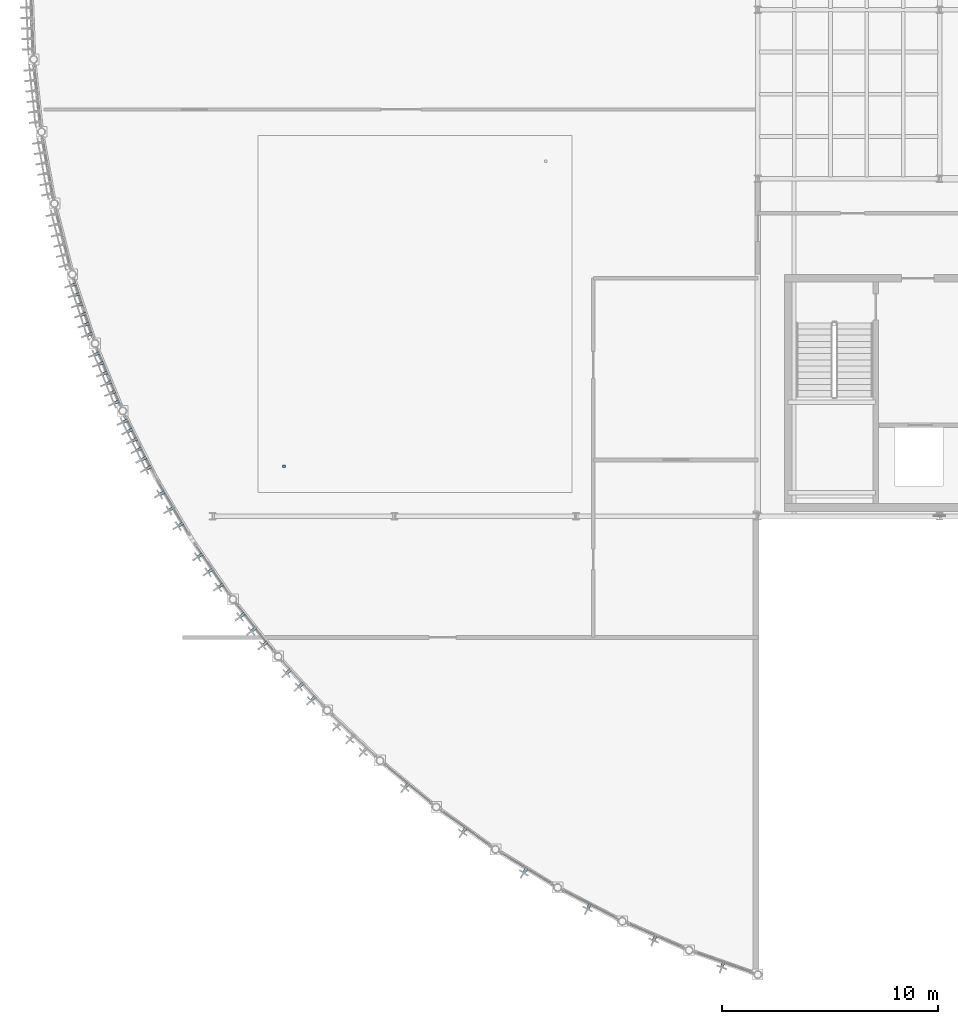
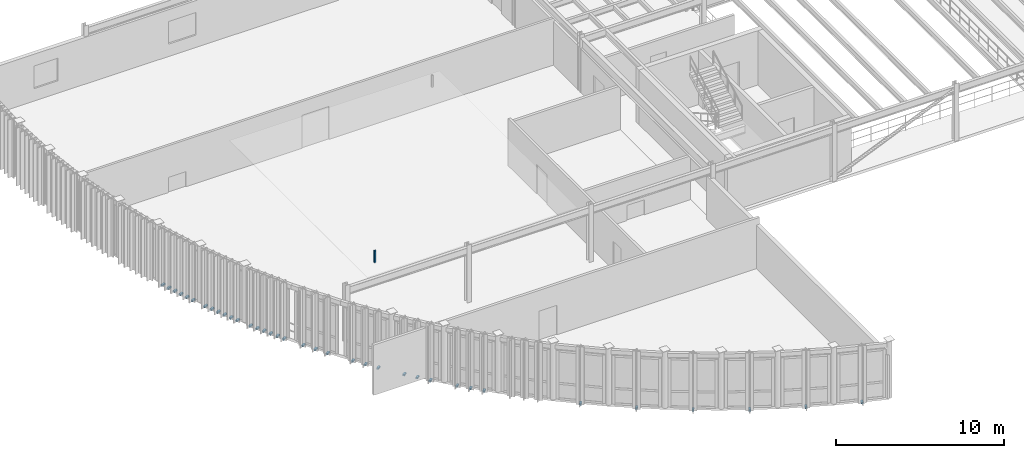
# One storey, part 21 of 26: 37 discrete accessories.
"""IFC4 building model written with IfcOpenShell, lengths in metres."""

from ifc_helpers import new_model, si_unit, direction, frame, origin, origin_2d, place, context, subcontext, project, spatial, rectangle, extrude, material, type_object, element, save


model = new_model("IFC4")

# Units and contexts
model_context = context("Model", 3, precision=1e-05, world=origin(), true_north=direction((0.0, 1.0)))
body_context = subcontext(model_context, "Body", "Model", "MODEL_VIEW")
ifc_project = project(units=[si_unit("LENGTHUNIT", "METRE"), si_unit("AREAUNIT", "SQUARE_METRE"), si_unit("VOLUMEUNIT", "CUBIC_METRE"), si_unit("PLANEANGLEUNIT", "RADIAN"), si_unit("MASSUNIT", "GRAM", prefix="KILO")], contexts=[model_context])

# Site, building, storey
site_placement = place(None, origin())
site = spatial("IfcSite", under=ifc_project, at=site_placement, CompositionType="ELEMENT")
building_placement = place(site_placement, origin())
building = spatial("IfcBuilding", under=site, at=building_placement, Name="Selat Folded Stagehouse", CompositionType="ELEMENT")
storey_placement = place(building_placement, frame((0.0, 0.0, 23.39990234375)))
storey = spatial("IfcBuildingStorey", under=building, at=storey_placement, Name="L05", CompositionType="ELEMENT", Elevation=23.39990234375)

# Discrete accessories
ifc_material_1 = material(Name="Stainless steel 1.4401", Category="steel")
discrete_accessory_type_1 = type_object("IfcDiscreteAccessoryType", Name="ACC-BRK-280x140x110", PredefinedType="BRACKET", material=ifc_material_1)
for number, where, z_axis, x_axis, name in (
    (1, (1.94873046875, 34.092041015625, -0.134765625), (0.0, 0.0, 1.0), (-0.957319497532, -0.289031796944, 0.0), "L05 solar fin slab bracket 216"),
    (2, (2.099853515625, 33.6337890625, -0.134765625), (0.0, 0.0, 1.0), (-0.954344655307, -0.298707681332, 0.0), "L05 solar fin slab bracket 222"),
    (3, (2.250732421875, 33.175537109375, -0.134765625), (0.0, 0.0, 1.0), (-0.951325822325, -0.308186923436, 0.0), "L05 solar fin slab bracket 228"),
    (4, (2.40185546875, 32.71728515625, -0.134765625), (0.0, 0.0, 1.0), (-0.94815738489, -0.317801153992, 0.0), "L05 solar fin slab bracket 234"),
    (5, (2.552978515625, 32.259033203125, -0.134765625), (0.0, 0.0, 1.0), (-0.944948912158, -0.327217898979, 0.0), "L05 solar fin slab bracket 240"),
    (6, (2.7041015625, 31.80078125, -0.134765625), (0.0, 0.0, 1.0), (-0.941588155895, -0.336766602676, 0.0), "L05 solar fin slab bracket 246"),
    (7, (3.037841796875, 30.89599609375, -0.134765625), (0.0, 0.0, 1.0), (-0.93463961469, -0.355596387288, 0.0), "L05 solar fin slab bracket 252"),
    (8, (3.220703125, 30.44970703125, -0.134765625), (0.0, 0.0, 1.0), (-0.931055815863, -0.364876784338, 0.0), "L05 solar fin slab bracket 258"),
    (9, (3.4033203125, 30.003173828125, -0.134765625), (0.0, 0.0, 1.0), (-0.927314560446, -0.374282922379, 0.0), "L05 solar fin slab bracket 264"),
    (10, (3.586181640625, 29.556640625, -0.134765625), (0.0, 0.0, 1.0), (-0.923545226472, -0.383489523534, 0.0), "L05 solar fin slab bracket 270"),
    (11, (3.76904296875, 29.110107421875, -0.134765625), (0.0, 0.0, 1.0), (-0.91961594401, -0.392818680211, 0.0), "L05 solar fin slab bracket 276"),
    (12, (3.951904296875, 28.66357421875, -0.134765625), (0.0, 0.0, 1.0), (-0.91566259334, -0.401947776656, 0.0), "L05 solar fin slab bracket 282"),
    (13, (4.348388671875, 27.784423828125, -0.134765625), (0.0, 0.0, 1.0), (-0.907411091929, -0.420244107924, 0.0), "L05 solar fin slab bracket 288"),
    (14, (4.56201171875, 27.351806640625, -0.134765625), (0.0, 0.0, 1.0), (-0.903185511225, -0.429250430767, 0.0), "L05 solar fin slab bracket 294"),
    (15, (4.775634765625, 26.919189453125, -0.134765625), (0.0, 0.0, 1.0), (-0.898794046299, -0.438371146789, 0.0), "L05 solar fin slab bracket 300"),
    (16, (4.9892578125, 26.486572265625, -0.134765625), (0.0, 0.0, 1.0), (-0.89438856037, -0.447290848419, 0.0), "L05 solar fin slab bracket 306"),
    (17, (5.202880859375, 26.053955078125, -0.134765625), (0.0, 0.0, 1.0), (-0.889814927768, -0.4563215909, 0.0), "L05 solar fin slab bracket 312"),
    (18, (5.41650390625, 25.621337890625, -0.134765625), (0.0, 0.0, 1.0), (-0.885231311332, -0.465151078077, 0.0), "L05 solar fin slab bracket 318"),
    (19, (6.056396484375, 24.459716796875, -0.134765625), (0.0, 0.0, 1.0), (-0.872069272432, -0.489382451749, 0.0), "L05 solar fin slab bracket 324"),
    (20, (6.482421875, 23.73095703125, -0.134765625), (0.0, 0.0, 1.0), (-0.863307480775, -0.504678307081, 0.0), "L05 solar fin slab bracket 330"),
    (21, (6.90869140625, 23.001953125, -0.134765625), (0.0, 0.0, 1.0), (-0.854368143929, -0.519668235165, 0.0), "L05 solar fin slab bracket 336"),
    (22, (7.810791015625, 21.57568359375, -0.134765625), (0.0, 0.0, 1.0), (-0.835615665335, -0.549314536351, 0.0), "L05 solar fin slab bracket 342"),
    (23, (8.287109375, 20.87841796875, -0.134765625), (0.0, 0.0, 1.0), (-0.82580311972, -0.563958515726, 0.0), "L05 solar fin slab bracket 348"),
    (24, (8.76318359375, 20.18115234375, -0.134765625), (0.0, 0.0, 1.0), (-0.815733970499, -0.578427255041, 0.0), "L05 solar fin slab bracket 354"),
    (25, (9.763427734375, 18.82177734375, -0.134765625), (0.0, 0.0, 1.0), (-0.794944353388, -0.606682351002, 0.0), "L05 solar fin slab bracket 360"),
    (26, (10.287353515625, 18.15966796875, -0.134765625), (0.0, 0.0, 1.0), (-0.784235212544, -0.620463642292, 0.0), "L05 solar fin slab bracket 366"),
    (27, (10.811279296875, 17.49755859375, -0.134765625), (0.0, 0.0, 1.0), (-0.773176510644, -0.634190888762, 0.0), "L05 solar fin slab bracket 372"),
    (28, (11.904296875, 16.211669921875, -0.134765625), (0.0, 0.0, 1.0), (-0.750457228874, -0.660919017453, 0.0), "L05 solar fin slab bracket 378"),
    (29, (12.473388671875, 15.587890625, -0.134765625), (0.0, 0.0, 1.0), (-0.738690671568, -0.674044576967, 0.0), "L05 solar fin slab bracket 384"),
    (30, (13.04248046875, 14.964111328125, -0.134765625), (0.0, 0.0, 1.0), (-0.726814465487, -0.686833846544, 0.0), "L05 solar fin slab bracket 390"),
    (31, (17.35888671875, 10.93505859375, -0.134765625), (0.0, 0.0, 1.0), (-0.63715499106, -0.770735698776, 0.0), "L05 solar fin slab bracket 414"),
    (32, (20.0341796875, 8.877197265625, -0.134765625), (0.0, 0.0, 1.0), (-0.581555176926, -0.813506961366, 0.0), "L05 solar fin slab bracket 418"),
    (33, (22.847412109375, 7.01171875, -0.134765625), (0.0, 0.0, 1.0), (-0.523093692466, -0.852275183789, 0.0), "L05 solar fin slab bracket 422"),
    (34, (25.784423828125, 5.348388671875, -0.134765625), (0.0, 0.0, 1.0), (-0.461903418797, -0.886930229333, 0.0), "L05 solar fin slab bracket 426"),
    (35, (28.830810546875, 3.895263671875, -0.134765625), (0.0, 0.0, 1.0), (-0.398589005675, -0.917129655259, 0.0), "L05 solar fin slab bracket 430"),
    (36, (31.9716796875, 2.6591796875, -0.134765625), (0.0, 0.0, 1.0), (-0.333313247568, -0.942816142732, 0.0), "L05 solar fin slab bracket 434"),
):
    element("IfcDiscreteAccessory", number, at=place(storey_placement, frame(where, z_axis=z_axis, x_axis=x_axis)), inside=storey, type_object=discrete_accessory_type_1, Name=name, PredefinedType="BRACKET", context=body_context, shape_type="SweptSolid", body=[
        extrude(rectangle(XDim=0.280029296875, YDim=0.139892578125, at=origin_2d()), origin(), (0.0, 0.0, 1.0), 0.110107421875),
    ])
ifc_material_2 = material(Name="Galvanised steel acoustic hanger rod", Category="steel")
discrete_accessory_type_2 = type_object("IfcDiscreteAccessoryType", Name="ACC-HGR-860", PredefinedType="BRACKET", material=ifc_material_2)
discrete_accessory_placement = place(storey_placement, frame((11.699951171875, 25.699951171875, 3.22021484375), z_axis=(0.0, 0.0, 1.0), x_axis=(1.0, 0.0, 0.0)))
element("IfcDiscreteAccessory", 37, at=discrete_accessory_placement, inside=storey, type_object=discrete_accessory_type_2, Name="L05 acoustic ceiling hanger CLG-L05-SKY-1", PredefinedType="BRACKET", context=body_context, shape_type="SweptSolid", body=[
    extrude(rectangle(XDim=0.1201171875, YDim=0.1201171875, at=origin_2d()), origin(), (0.0, 0.0, 1.0), 0.860107421875),
])

save(model, "model.ifc")
